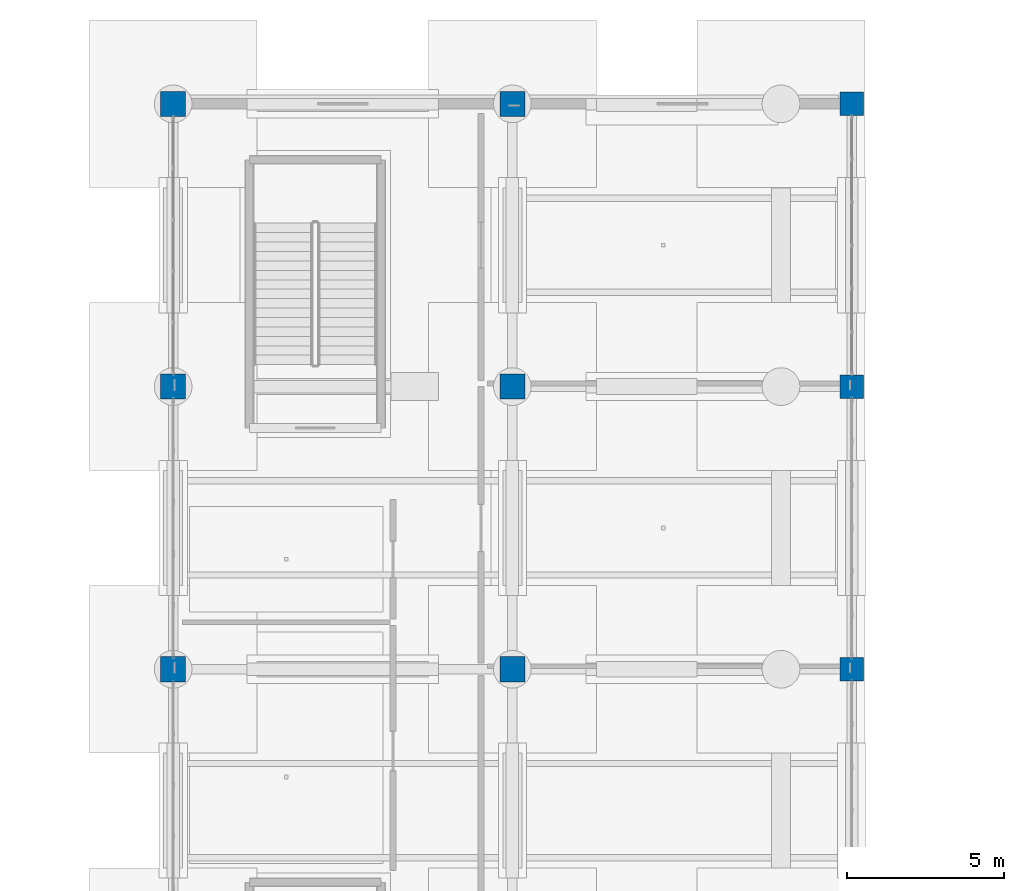
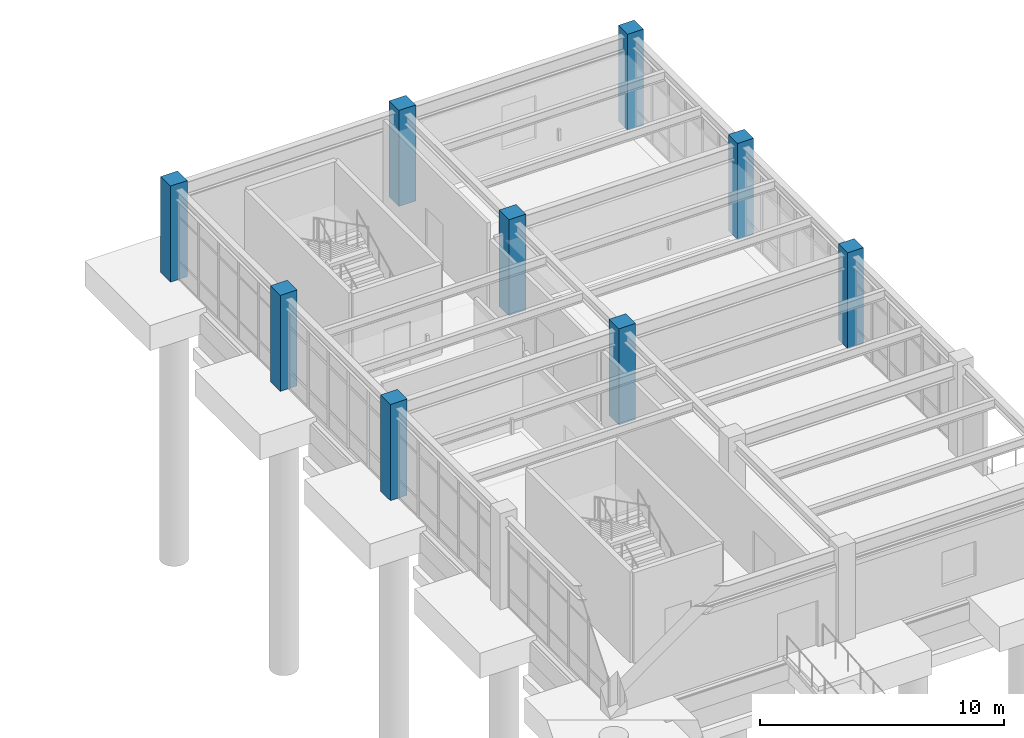
# One storey, part 5 of 98: 9 columns.
"""IFC4 building model written with IfcOpenShell, lengths in metres."""

from ifc_helpers import new_model, si_unit, direction, frame, origin, origin_2d, place, context, subcontext, project, spatial, rectangle, extrude, material, material_profile, profile_set, type_object, element, save


model = new_model("IFC4")

# Units and contexts
model_context = context("Model", 3, precision=1e-05, world=origin(), true_north=direction((0.0, 1.0)))
body_context = subcontext(model_context, "Body", "Model", "MODEL_VIEW")
ifc_project = project(units=[si_unit("LENGTHUNIT", "METRE"), si_unit("AREAUNIT", "SQUARE_METRE"), si_unit("VOLUMEUNIT", "CUBIC_METRE"), si_unit("PLANEANGLEUNIT", "RADIAN"), si_unit("MASSUNIT", "GRAM", prefix="KILO")], contexts=[model_context])

# Site, building, storey
site_placement = place(None, origin())
site = spatial("IfcSite", under=ifc_project, at=site_placement, CompositionType="ELEMENT")
building_placement = place(site_placement, origin())
building = spatial("IfcBuilding", under=site, at=building_placement, Name="Canglan Escarpment Cableway Terminal", CompositionType="ELEMENT")
storey_placement = place(building_placement, frame((0.0, 0.0, 9.60009765625)))
storey = spatial("IfcBuildingStorey", under=building, at=storey_placement, Name="L02", CompositionType="ELEMENT", Elevation=9.60009765625)

# Columns
ifc_material_1 = material(Name="Concrete C40", Category="concrete")
ifc_material_profile_1 = material_profile(ifc_material_1, rectangle(XDim=0.75, YDim=0.75, at=origin_2d()), Name="RC 750x750")
ifc_profile_set_1 = profile_set([ifc_material_profile_1], Name="Concrete C40")
column_type_1 = type_object("IfcColumnType", Name="COL-RC750-C40", PredefinedType="COLUMN", material=ifc_profile_set_1)
for number, where, z_axis, x_axis, name in (
    (1, (136.699951171875, 61.0, 0.0), (0.0, 0.0, 1.0), (1.0, 0.0, 0.0), "Structural column C-03"),
    (2, (136.699951171875, 70.0, 0.0), (0.0, 0.0, 1.0), (1.0, 0.0, 0.0), "Structural column C-03"),
    (3, (136.699951171875, 79.0, 0.0), (0.0, 0.0, 1.0), (1.0, 0.0, 0.0), "Structural column C-03"),
):
    element("IfcColumn", number, at=place(storey_placement, frame(where, z_axis=z_axis, x_axis=x_axis)), inside=storey, type_object=column_type_1, Name=name, PredefinedType="COLUMN", context=body_context, shape_type="SweptSolid", body=[
        extrude(rectangle(XDim=0.75, YDim=0.75, at=origin_2d()), origin(), (0.0, 0.0, 1.0), 4.7998046875),
    ])
ifc_material_2 = material(Name="Concrete C50", Category="concrete")
ifc_material_profile_2 = material_profile(ifc_material_2, rectangle(XDim=0.800048828125, YDim=0.800048828125, at=origin_2d()), Name="RC 800x800")
ifc_profile_set_2 = profile_set([ifc_material_profile_2], Name="Concrete C50")
column_type_2 = type_object("IfcColumnType", Name="COL-RC800-C50", PredefinedType="COLUMN", material=ifc_profile_set_2)
for number, where, z_axis, x_axis, name in (
    (4, (115.10009765625, 61.0, 0.0), (0.0, 0.0, 1.0), (1.0, 0.0, 0.0), "Structural column C-02"),
    (5, (115.10009765625, 70.0, 0.0), (0.0, 0.0, 1.0), (1.0, 0.0, 0.0), "Structural column C-02"),
    (6, (115.10009765625, 79.0, 0.0), (0.0, 0.0, 1.0), (1.0, 0.0, 0.0), "Structural column C-02"),
    (7, (125.89990234375, 61.0, 0.0), (0.0, 0.0, 1.0), (1.0, 0.0, 0.0), "Structural column C-02"),
    (8, (125.89990234375, 70.0, 0.0), (0.0, 0.0, 1.0), (1.0, 0.0, 0.0), "Structural column C-02"),
    (9, (125.89990234375, 79.0, 0.0), (0.0, 0.0, 1.0), (1.0, 0.0, 0.0), "Structural column C-02"),
):
    element("IfcColumn", number, at=place(storey_placement, frame(where, z_axis=z_axis, x_axis=x_axis)), inside=storey, type_object=column_type_2, Name=name, PredefinedType="COLUMN", context=body_context, shape_type="SweptSolid", body=[
        extrude(rectangle(XDim=0.800048828125, YDim=0.800048828125, at=origin_2d()), origin(), (0.0, 0.0, 1.0), 4.7998046875),
    ])

save(model, "model.ifc")
